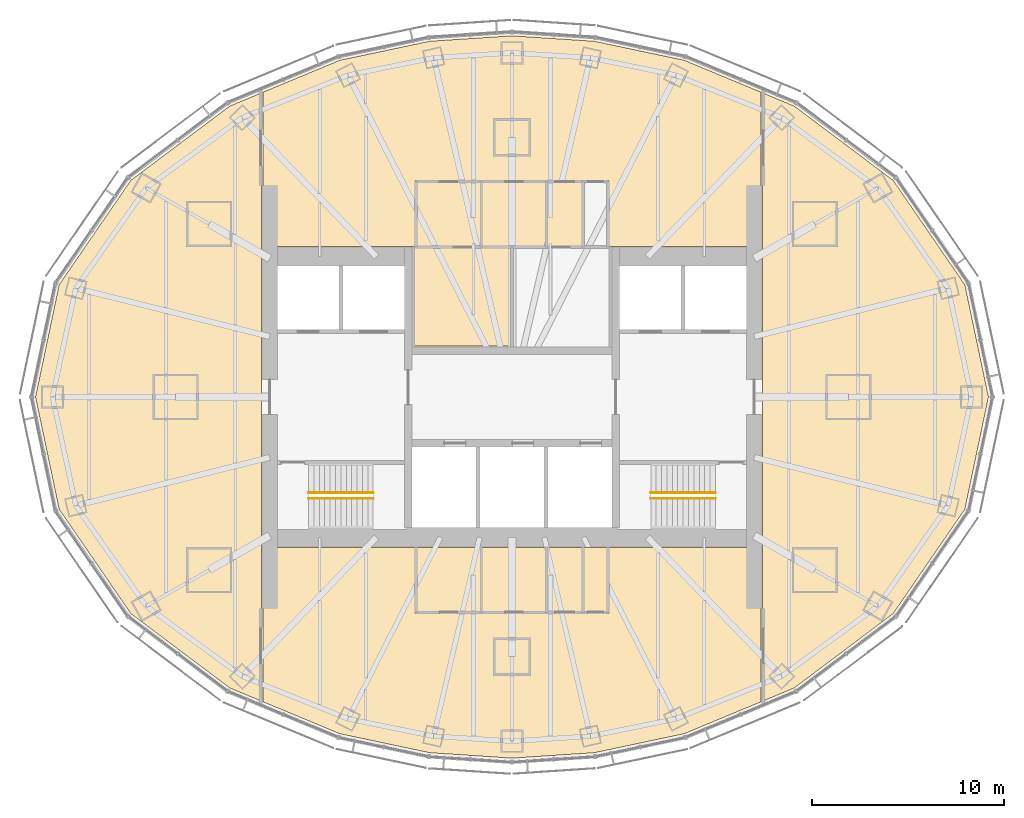
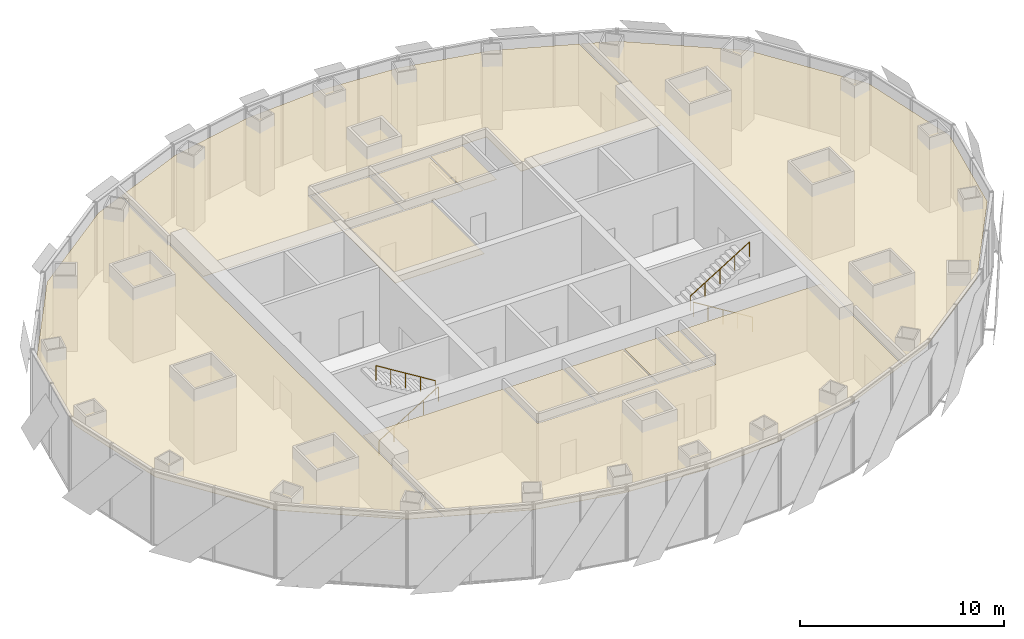
# One storey, part 15 of 15: 12 coverings, 4 railings.
"""IFC4 building model written with IfcOpenShell, lengths in metres."""

import ifcopenshell
import ifcopenshell.guid

model = None  # the IFC model being written
_history = None  # IfcOwnerHistory: only IFC2X3 demands one
_inside = {}  # id of a spatial element -> (the spatial element, [elements in it])
_under = {}  # id of a project, library or spatial element -> (it, [spatial elements below it])
_declared = {}  # id of a project -> (the project, [libraries it declares])
_typed = {}  # id of a type object -> (the type object, [elements of that type])
_made_of = {}  # id of a material, layer set ... -> (it, [elements and type objects made of it])


def new_model(schema):
    """Start an empty IFC model of exactly this schema.

    Asked for "IFC4X3", IfcOpenShell would pick the latest addendum, in which some entities
    have other attributes; the version numbers below select the first issue.
    IFC2X3 requires an IfcOwnerHistory on every rooted entity: one is made here for all.
    """
    global model, _history
    if schema == "IFC4X3":
        model = ifcopenshell.file(schema_version=(4, 3, 0, 0))
    else:
        model = ifcopenshell.file(schema=schema)
    _inside.clear()
    _under.clear()
    _declared.clear()
    _typed.clear()
    _made_of.clear()
    _history = None
    if model.schema == "IFC2X3":
        org = make("IfcOrganization", Name="unknown")
        user = make(
            "IfcPersonAndOrganization",
            ThePerson=make("IfcPerson", FamilyName="unknown"),
            TheOrganization=org,
        )
        app = make(
            "IfcApplication",
            ApplicationDeveloper=org,
            Version="unknown",
            ApplicationFullName="unknown",
            ApplicationIdentifier="unknown",
        )
        _history = make(
            "IfcOwnerHistory",
            OwningUser=user,
            OwningApplication=app,
            ChangeAction="ADDED",
            CreationDate=0,
        )
    return model


def make(cls, **values):
    """One entity of the class cls with the attributes given. An attribute that is None is left unset."""
    return model.create_entity(
        cls, **{name: value for name, value in values.items() if value is not None}
    )


def rooted(cls, **values):
    """An entity with a GlobalId (a new one), such as an element, a storey or a relation."""
    return make(cls, GlobalId=ifcopenshell.guid.new(), OwnerHistory=_history, **values)


def si_unit(unit_type, name, prefix=None):
    """IfcSIUnit, for example si_unit("LENGTHUNIT", "METRE", prefix="MILLI")."""
    return make("IfcSIUnit", UnitType=unit_type, Prefix=prefix, Name=name)


def assignment(units):
    """IfcUnitAssignment: the units of a project."""
    return None if units is None else make("IfcUnitAssignment", Units=units)


def point(xyz):
    """IfcCartesianPoint."""
    return None if xyz is None else make("IfcCartesianPoint", Coordinates=xyz)


def direction(xyz):
    """IfcDirection."""
    return None if xyz is None else make("IfcDirection", DirectionRatios=xyz)


def frame(location, z_axis=None, x_axis=None):
    """IfcAxis2Placement3D, a coordinate frame: its origin and axes. An axis left out is left unset."""
    return make(
        "IfcAxis2Placement3D",
        Location=point(location),
        Axis=direction(z_axis),
        RefDirection=direction(x_axis),
    )


def frame_2d(location, x_axis=None):
    """IfcAxis2Placement2D, a coordinate frame in the plane: its origin and x axis."""
    return make(
        "IfcAxis2Placement2D", Location=point(location), RefDirection=direction(x_axis)
    )


def origin():
    """The frame at (0, 0, 0) with its axes left unset."""
    return frame((0.0, 0.0, 0.0))


def origin_2d():
    """The frame at (0, 0) in the plane with its x axis left unset."""
    return frame_2d((0.0, 0.0))


def place(relative_to, where):
    """IfcLocalPlacement: puts the frame where relative to a parent placement (None: the world)."""
    return make(
        "IfcLocalPlacement", PlacementRelTo=relative_to, RelativePlacement=where
    )


def context(
    kind, dimensions, precision=None, world=None, true_north=None, identifier=None
):
    """IfcGeometricRepresentationContext, for example the 3D "Model" context."""
    return make(
        "IfcGeometricRepresentationContext",
        ContextIdentifier=identifier,
        ContextType=kind,
        CoordinateSpaceDimension=dimensions,
        Precision=precision,
        WorldCoordinateSystem=world,
        TrueNorth=true_north,
    )


def subcontext(parent, identifier, kind, view, scale=None):
    """IfcGeometricRepresentationSubContext, for example "Body" below "Model"."""
    return make(
        "IfcGeometricRepresentationSubContext",
        ContextIdentifier=identifier,
        ContextType=kind,
        ParentContext=parent,
        TargetScale=scale,
        TargetView=view,
    )


def project(units=None, contexts=None):
    """IfcProject with its units and contexts."""
    return rooted(
        "IfcProject",
        Name="project",
        RepresentationContexts=contexts,
        UnitsInContext=assignment(units),
    )


def spatial(cls, under=None, at=None, **own):
    """A site, building, storey or space (cls), placed at a placement, below another one or the project."""
    s = rooted(cls, ObjectPlacement=at, **own)
    if under is not None:
        _under.setdefault(under.id(), (under, []))[1].append(s)
    return s


def polyline(points):
    """IfcPolyline through the points."""
    return make("IfcPolyline", Points=[point(p) for p in points])


def profile(cls, at=None, kind="AREA", **sizes):
    """A parametric profile (cls). Its sizes go by their IFC names, for example OverallWidth=200.0."""
    return make(cls, ProfileType=kind, Position=at, **sizes)


def circle(**sizes):
    """IfcCircleProfileDef."""
    return profile("IfcCircleProfileDef", **sizes)


def outline(outer, holes=None, kind="AREA"):
    """IfcArbitraryClosedProfileDef: a profile drawn as a closed curve; with holes, ...WithVoids."""
    if holes is None:
        return make("IfcArbitraryClosedProfileDef", ProfileType=kind, OuterCurve=outer)
    return make(
        "IfcArbitraryProfileDefWithVoids",
        ProfileType=kind,
        OuterCurve=outer,
        InnerCurves=holes,
    )


def extrude(swept, where, along, depth):
    """IfcExtrudedAreaSolid: the profile swept, set in the frame where, extruded along a direction by depth."""
    return make(
        "IfcExtrudedAreaSolid",
        SweptArea=swept,
        Position=where,
        ExtrudedDirection=direction(along),
        Depth=depth,
    )


def shape(context_of_items, identifier, shape_type, items):
    """IfcShapeRepresentation: the items that make up one representation, for example the "Body"."""
    return make(
        "IfcShapeRepresentation",
        ContextOfItems=context_of_items,
        RepresentationIdentifier=identifier,
        RepresentationType=shape_type,
        Items=items,
    )


def material(Name=None, Category=None):
    """IfcMaterial."""
    return make("IfcMaterial", Name=Name, Category=Category)


def layer(
    of_material, thickness, ventilated=None, Name=None, Category=None, Priority=None
):
    """IfcMaterialLayer: one layer of a wall or slab, of a material (None: an air gap)."""
    return make(
        "IfcMaterialLayer",
        Material=of_material,
        LayerThickness=thickness,
        IsVentilated=ventilated,
        Name=Name,
        Category=Category,
        Priority=Priority,
    )


def layer_set(layers, Name=None):
    """IfcMaterialLayerSet."""
    return make("IfcMaterialLayerSet", MaterialLayers=layers, LayerSetName=Name)


def made_of(thing, what):
    """Note that an element or type object is made of a material, layer set ...; save() writes the relation."""
    if what is not None:
        _made_of.setdefault(what.id(), (what, []))[1].append(thing)
    return thing


def type_object(cls, material=None, **own):
    """A type object (cls), such as IfcWallType, which elements share."""
    return made_of(rooted(cls, **own), material)


def element(
    cls,
    number,
    at=None,
    inside=None,
    cuts=None,
    type_object=None,
    material=None,
    context=None,
    identifier="Body",
    shape_type=None,
    held_by="IfcProductDefinitionShape",
    body=None,
    shapes=None,
    **own,
):
    """One element of the class cls, such as IfcWall. Its Tag is "e" and its number.

    at: its placement. inside: the storey or other place that contains it. cuts: it is an
    opening in that element (IfcRelVoidsElement). A single representation is given by context,
    identifier, shape_type and body (its items); several are given by shapes. held_by: the class
    of the entity that holds the representations. save() writes the other relations.
    """
    e = rooted(cls, Tag="e%d" % number, ObjectPlacement=at, **own)
    if body is not None:
        shapes = [shape(context, identifier, shape_type, body)]
    if shapes is not None:
        e.Representation = make(held_by, Representations=shapes)
    if inside is not None:
        _inside.setdefault(inside.id(), (inside, []))[1].append(e)
    if cuts is not None:
        rooted(
            "IfcRelVoidsElement", RelatingBuildingElement=cuts, RelatedOpeningElement=e
        )
    if type_object is not None:
        _typed.setdefault(type_object.id(), (type_object, []))[1].append(e)
    return made_of(e, material)


def aggregate(whole, parts):
    """IfcRelAggregates: a whole, such as a stair, and the parts it consists of."""
    return rooted("IfcRelAggregates", RelatingObject=whole, RelatedObjects=parts)


def save(model, path):
    """Write the relations noted so far, then the file.

    IfcRelAggregates (storeys below a building ...), IfcRelContainedInSpatialStructure (elements
    in a storey), IfcRelDefinesByType, IfcRelAssociatesMaterial and IfcRelDeclares: one each for
    every whole, place, type object, material and project.
    """
    for whole, parts in _under.values():
        aggregate(whole, parts)
    for where, things in _inside.values():
        rooted(
            "IfcRelContainedInSpatialStructure",
            RelatedElements=things,
            RelatingStructure=where,
        )
    for kind, things in _typed.values():
        rooted("IfcRelDefinesByType", RelatedObjects=things, RelatingType=kind)
    for what, things in _made_of.values():
        rooted("IfcRelAssociatesMaterial", RelatedObjects=things, RelatingMaterial=what)
    for by, libraries in _declared.values():
        rooted("IfcRelDeclares", RelatingContext=by, RelatedDefinitions=libraries)
    model.write(path)


model = new_model("IFC4")

# Units and contexts
model_context = context("Model", 3, precision=1e-05, world=origin(), true_north=direction((0.0, 1.0)))
body_context = subcontext(model_context, "Body", "Model", "MODEL_VIEW")
ifc_project = project(units=[si_unit("LENGTHUNIT", "METRE"), si_unit("AREAUNIT", "SQUARE_METRE"), si_unit("VOLUMEUNIT", "CUBIC_METRE"), si_unit("PLANEANGLEUNIT", "RADIAN"), si_unit("MASSUNIT", "GRAM", prefix="KILO")], contexts=[model_context])

# Site, building, storey
site_placement = place(None, origin())
site = spatial("IfcSite", under=ifc_project, at=site_placement, CompositionType="ELEMENT")
building_placement = place(site_placement, origin())
building = spatial("IfcBuilding", under=site, at=building_placement, Name="Lantaw Convention Tower", CompositionType="ELEMENT")
storey_placement = place(building_placement, frame((0.0, 0.0, 274.89990234375)))
storey = spatial("IfcBuildingStorey", under=building, at=storey_placement, Name="L64", CompositionType="ELEMENT", Elevation=274.89990234375)

# Railings
ifc_material_1 = material(Name="Stainless steel", Category="steel")
railing_type = type_object("IfcRailingType", Name="Stair handrail", PredefinedType="HANDRAIL", material=ifc_material_1)
railing_1_placement = place(storey_placement, frame((-10.580078125, -5.280029296875, 0.173095703125)))
element("IfcRailing", 1, at=railing_1_placement, inside=storey, type_object=railing_type, Name="Stair handrail S1", PredefinedType="HANDRAIL", context=body_context, shape_type="SweptSolid", body=[
    extrude(circle(Radius=0.02392578125, at=origin_2d()), frame((0.0, 0.0, 0.8759765625), z_axis=(0.850623216509, 0.0, 0.525775754039), x_axis=(0.0, 1.0, 0.0)), (0.0, 0.0, 1.0), 3.9501953125),
    extrude(circle(Radius=0.02099609375, at=origin_2d()), origin(), (0.0, 0.0, 1.0), 0.851806640625),
    extrude(circle(Radius=0.02099609375, at=origin_2d()), frame((0.840087890625, 0.0, 0.519287109375)), (0.0, 0.0, 1.0), 0.851806640625),
    extrude(circle(Radius=0.02099609375, at=origin_2d()), frame((1.68017578125, 0.0, 1.03857421875)), (0.0, 0.0, 1.0), 0.851806640625),
    extrude(circle(Radius=0.02099609375, at=origin_2d()), frame((2.52001953125, 0.0, 1.5576171875)), (0.0, 0.0, 1.0), 0.851806640625),
    extrude(circle(Radius=0.02099609375, at=origin_2d()), frame((3.360107421875, 0.0, 2.076904296875)), (0.0, 0.0, 1.0), 0.851806640625),
])
for number, where, name in (
    (2, (-7.219970703125, -4.97998046875, 2.423095703125), "Stair handrail S1"),
    (3, (10.580078125, -5.280029296875, 0.173095703125), "Stair handrail S2"),
):
    element("IfcRailing", number, at=place(storey_placement, frame(where)), inside=storey, type_object=railing_type, Name=name, PredefinedType="HANDRAIL", context=body_context, shape_type="SweptSolid", body=[
        extrude(circle(Radius=0.02392578125, at=origin_2d()), frame((0.0, 0.0, 0.8759765625), z_axis=(-0.850623216509, 0.0, 0.525775754039), x_axis=(0.0, -1.0, 0.0)), (0.0, 0.0, 1.0), 3.9501953125),
        extrude(circle(Radius=0.02099609375, at=origin_2d()), origin(), (0.0, 0.0, 1.0), 0.851806640625),
        extrude(circle(Radius=0.02099609375, at=origin_2d()), frame((-0.840087890625, 0.0, 0.519287109375)), (0.0, 0.0, 1.0), 0.851806640625),
        extrude(circle(Radius=0.02099609375, at=origin_2d()), frame((-1.68017578125, 0.0, 1.03857421875)), (0.0, 0.0, 1.0), 0.851806640625),
        extrude(circle(Radius=0.02099609375, at=origin_2d()), frame((-2.52001953125, 0.0, 1.5576171875)), (0.0, 0.0, 1.0), 0.851806640625),
        extrude(circle(Radius=0.02099609375, at=origin_2d()), frame((-3.360107421875, 0.0, 2.076904296875)), (0.0, 0.0, 1.0), 0.851806640625),
    ])
railing_2_placement = place(storey_placement, frame((7.219970703125, -4.97998046875, 2.423095703125)))
element("IfcRailing", 4, at=railing_2_placement, inside=storey, type_object=railing_type, Name="Stair handrail S2", PredefinedType="HANDRAIL", context=body_context, shape_type="SweptSolid", body=[
    extrude(circle(Radius=0.02392578125, at=origin_2d()), frame((0.0, 0.0, 0.8759765625), z_axis=(0.850623216509, 0.0, 0.525775754039), x_axis=(0.0, 1.0, 0.0)), (0.0, 0.0, 1.0), 3.9501953125),
    extrude(circle(Radius=0.02099609375, at=origin_2d()), origin(), (0.0, 0.0, 1.0), 0.851806640625),
    extrude(circle(Radius=0.02099609375, at=origin_2d()), frame((0.840087890625, 0.0, 0.519287109375)), (0.0, 0.0, 1.0), 0.851806640625),
    extrude(circle(Radius=0.02099609375, at=origin_2d()), frame((1.68017578125, 0.0, 1.03857421875)), (0.0, 0.0, 1.0), 0.851806640625),
    extrude(circle(Radius=0.02099609375, at=origin_2d()), frame((2.52001953125, 0.0, 1.5576171875)), (0.0, 0.0, 1.0), 0.851806640625),
    extrude(circle(Radius=0.02099609375, at=origin_2d()), frame((3.360107421875, 0.0, 2.076904296875)), (0.0, 0.0, 1.0), 0.851806640625),
])

# Coverings
ifc_material_2 = material(Name="Gypsum board on steel suspension grid", Category="steel")
ifc_layer = layer(ifc_material_2, 0.02001953125)
ifc_layer_set = layer_set([ifc_layer], Name="Suspended ceiling")
covering_type = type_object("IfcCoveringType", Name="Suspended ceiling", PredefinedType="CEILING", material=ifc_layer_set)
covering_1_placement = place(storey_placement, frame((0.0, 0.0, 3.75)))
element("IfcCovering", 5, at=covering_1_placement, inside=storey, type_object=covering_type, Name="Female WC ceiling", PredefinedType="CEILING", context=body_context, shape_type="SweptSolid", body=[
    extrude(outline(polyline([(-4.9599609375, 7.840087890625), (-1.639892578125, 7.840087890625), (-1.639892578125, 11.159912109375), (-4.9599609375, 11.159912109375), (-4.9599609375, 7.840087890625)])), origin(), (0.0, 0.0, 1.0), 0.02001953125),
])
covering_2_placement = place(storey_placement, frame((0.0, 0.0, 3.75)))
element("IfcCovering", 6, at=covering_2_placement, inside=storey, type_object=covering_type, Name="Male WC ceiling", PredefinedType="CEILING", context=body_context, shape_type="SweptSolid", body=[
    extrude(outline(polyline([(-1.56005859375, 7.840087890625), (1.760009765625, 7.840087890625), (1.760009765625, 11.159912109375), (-1.56005859375, 11.159912109375), (-1.56005859375, 7.840087890625)])), origin(), (0.0, 0.0, 1.0), 0.02001953125),
])
covering_3_placement = place(storey_placement, frame((0.0, 0.0, 3.75)))
element("IfcCovering", 7, at=covering_3_placement, inside=storey, type_object=covering_type, Name="Accessible WC ceiling", PredefinedType="CEILING", context=body_context, shape_type="SweptSolid", body=[
    extrude(outline(polyline([(1.840087890625, 7.840087890625), (3.659912109375, 7.840087890625), (3.659912109375, 11.159912109375), (1.840087890625, 11.159912109375), (1.840087890625, 7.840087890625)])), origin(), (0.0, 0.0, 1.0), 0.02001953125),
])
covering_4_placement = place(storey_placement, frame((0.0, 0.0, 3.75)))
element("IfcCovering", 8, at=covering_4_placement, inside=storey, type_object=covering_type, Name="Female WC ceiling", PredefinedType="CEILING", context=body_context, shape_type="SweptSolid", body=[
    extrude(outline(polyline([(-4.9599609375, -11.159912109375), (-1.639892578125, -11.159912109375), (-1.639892578125, -7.840087890625), (-4.9599609375, -7.840087890625), (-4.9599609375, -11.159912109375)])), origin(), (0.0, 0.0, 1.0), 0.02001953125),
])
covering_5_placement = place(storey_placement, frame((0.0, 0.0, 3.75)))
element("IfcCovering", 9, at=covering_5_placement, inside=storey, type_object=covering_type, Name="Male WC ceiling", PredefinedType="CEILING", context=body_context, shape_type="SweptSolid", body=[
    extrude(outline(polyline([(-1.56005859375, -11.159912109375), (1.760009765625, -11.159912109375), (1.760009765625, -7.840087890625), (-1.56005859375, -7.840087890625), (-1.56005859375, -11.159912109375)])), origin(), (0.0, 0.0, 1.0), 0.02001953125),
])
covering_6_placement = place(storey_placement, frame((0.0, 0.0, 3.75)))
element("IfcCovering", 10, at=covering_6_placement, inside=storey, type_object=covering_type, Name="Accessible WC ceiling", PredefinedType="CEILING", context=body_context, shape_type="SweptSolid", body=[
    extrude(outline(polyline([(1.840087890625, -11.159912109375), (3.659912109375, -11.159912109375), (3.659912109375, -7.840087890625), (1.840087890625, -7.840087890625), (1.840087890625, -11.159912109375)])), origin(), (0.0, 0.0, 1.0), 0.02001953125),
])
covering_7_placement = place(storey_placement, frame((0.0, 0.0, 3.75)))
element("IfcCovering", 11, at=covering_7_placement, inside=storey, type_object=covering_type, Name="Pantry ceiling", PredefinedType="CEILING", context=body_context, shape_type="SweptSolid", body=[
    extrude(outline(polyline([(3.739990234375, -11.159912109375), (4.9599609375, -11.159912109375), (4.9599609375, -7.840087890625), (3.739990234375, -7.840087890625), (3.739990234375, -11.159912109375)])), origin(), (0.0, 0.0, 1.0), 0.02001953125),
])
covering_8_placement = place(storey_placement, frame((0.0, 0.0, 3.75)))
element("IfcCovering", 12, at=covering_8_placement, inside=storey, type_object=covering_type, Name="IT and comms room ceiling", PredefinedType="CEILING", context=body_context, shape_type="SweptSolid", body=[
    extrude(outline(polyline([(-5.080078125, 2.639892578125), (-0.0400390625, 2.639892578125), (-0.0400390625, 7.760009765625), (-5.080078125, 7.760009765625), (-5.080078125, 2.639892578125)])), origin(), (0.0, 0.0, 1.0), 0.02001953125),
])
covering_9_placement = place(storey_placement, frame((0.0, 0.0, 3.75)))
element("IfcCovering", 13, at=covering_9_placement, inside=storey, type_object=covering_type, Name="Business club lounge ceiling", PredefinedType="CEILING", context=body_context, shape_type="SweptSolid", body=[
    extrude(outline(polyline([(-8.963623046875, 17.51171875), (-12.9599609375, 15.847412109375), (-12.9599609375, 7.840087890625), (-5.0400390625, 7.840087890625), (-5.0400390625, 11.239990234375), (5.0400390625, 11.239990234375), (5.0400390625, 7.840087890625), (12.9599609375, 7.840087890625), (12.9599609375, 15.847412109375), (8.963623046875, 17.51171875), (4.291015625, 18.50048828125), (0.0, 18.784423828125), (-4.291015625, 18.50048828125), (-8.963623046875, 17.51171875)])), origin(), (0.0, 0.0, 1.0), 0.02001953125),
])
covering_10_placement = place(storey_placement, frame((0.0, 0.0, 3.75)))
element("IfcCovering", 14, at=covering_10_placement, inside=storey, type_object=covering_type, Name="Management offices ceiling", PredefinedType="CEILING", context=body_context, shape_type="SweptSolid", body=[
    extrude(outline(polyline([(8.963623046875, -17.51171875), (12.9599609375, -15.847412109375), (12.9599609375, -7.840087890625), (5.0400390625, -7.840087890625), (5.0400390625, -11.239990234375), (-5.0400390625, -11.239990234375), (-5.0400390625, -7.840087890625), (-12.9599609375, -7.840087890625), (-12.9599609375, -15.847412109375), (-8.963623046875, -17.51171875), (-4.291015625, -18.50048828125), (0.0, -18.784423828125), (4.291015625, -18.50048828125), (8.963623046875, -17.51171875)])), origin(), (0.0, 0.0, 1.0), 0.02001953125),
])
covering_11_placement = place(storey_placement, frame((0.0, 0.0, 3.75)))
element("IfcCovering", 15, at=covering_11_placement, inside=storey, type_object=covering_type, Name="Business centre offices ceiling", PredefinedType="CEILING", context=body_context, shape_type="SweptSolid", body=[
    extrude(outline(polyline([(-14.684326171875, -15.12939453125), (-13.0400390625, -15.81396484375), (-13.0400390625, 15.81396484375), (-14.684326171875, 15.12939453125), (-19.82470703125, 11.267578125), (-23.552734375, 5.83642578125), (-24.7802734375, 0.0), (-23.552734375, -5.83642578125), (-19.82470703125, -11.267578125), (-14.684326171875, -15.12939453125)])), origin(), (0.0, 0.0, 1.0), 0.02001953125),
])
covering_12_placement = place(storey_placement, frame((0.0, 0.0, 3.75)))
element("IfcCovering", 16, at=covering_12_placement, inside=storey, type_object=covering_type, Name="Executive offices ceiling", PredefinedType="CEILING", context=body_context, shape_type="SweptSolid", body=[
    extrude(outline(polyline([(14.684326171875, -15.12939453125), (19.82470703125, -11.267578125), (23.552734375, -5.83642578125), (24.7802734375, 0.0), (23.552734375, 5.83642578125), (19.82470703125, 11.267578125), (14.684326171875, 15.12939453125), (13.0400390625, 15.81396484375), (13.0400390625, -15.81396484375), (14.684326171875, -15.12939453125)])), origin(), (0.0, 0.0, 1.0), 0.02001953125),
])

save(model, "model.ifc")
